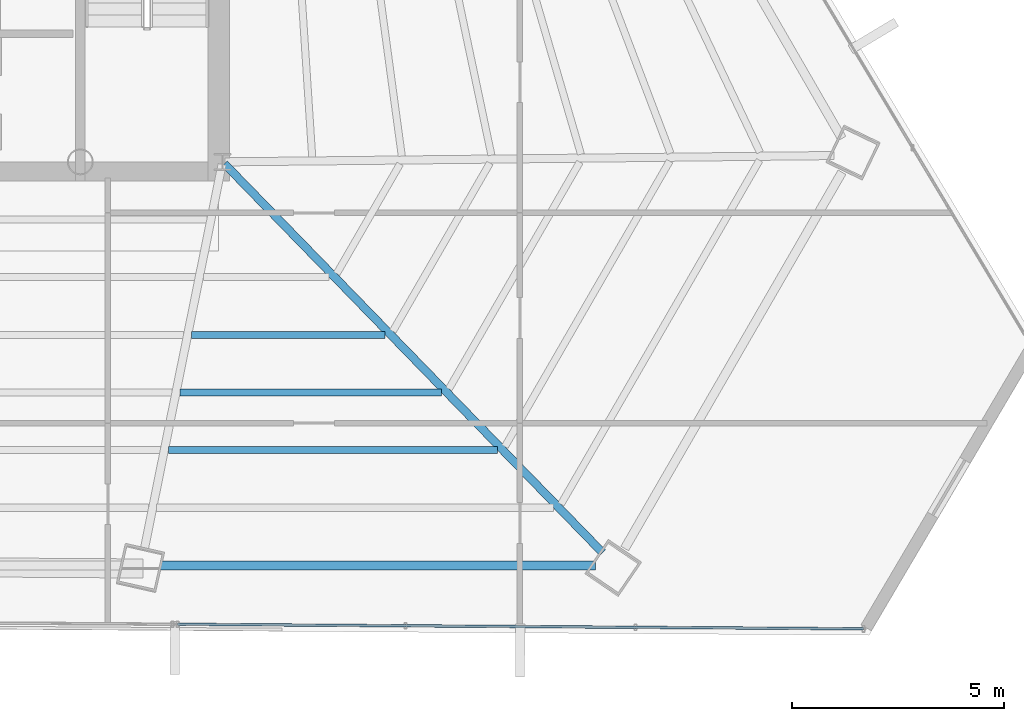
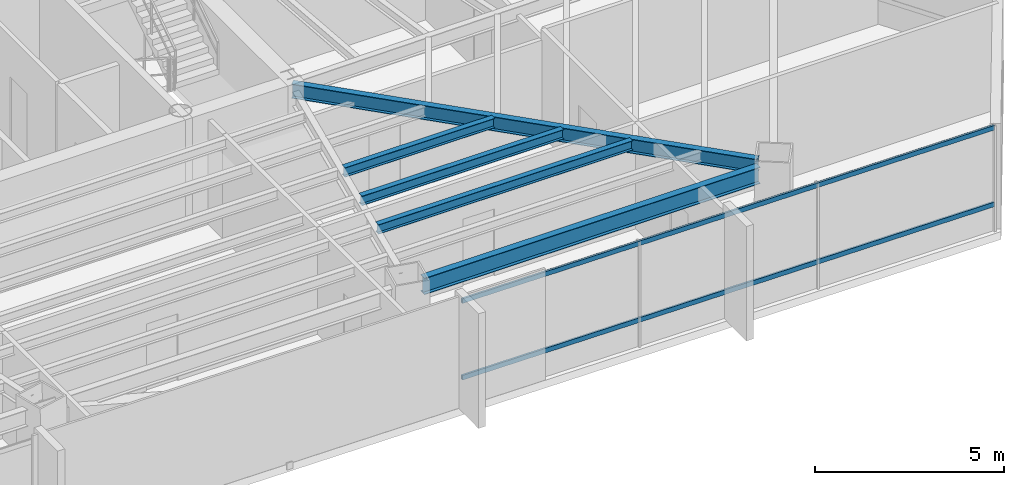
# One storey, part 18 of 41: 5 beams, 2 members, 1 element without a shape of its own.
"""IFC4 building model written with IfcOpenShell, lengths in metres."""

from ifc_helpers import new_model, si_unit, direction, frame, origin, origin_2d, place, context, subcontext, project, spatial, hollow_rectangle, i_section, extrude, source, transform, mapped, material, material_profile, profile_set, type_object, type_shapes, element, aggregate, save


model = new_model("IFC4")

# Units and contexts
model_context = context("Model", 3, precision=1e-05, world=origin(), true_north=direction((0.0, 1.0)))
body_context = subcontext(model_context, "Body", "Model", "MODEL_VIEW")
ifc_project = project(units=[si_unit("LENGTHUNIT", "METRE"), si_unit("AREAUNIT", "SQUARE_METRE"), si_unit("VOLUMEUNIT", "CUBIC_METRE"), si_unit("PLANEANGLEUNIT", "RADIAN"), si_unit("MASSUNIT", "GRAM", prefix="KILO")], contexts=[model_context])

# Site, building, storey
site_placement = place(None, origin())
site = spatial("IfcSite", under=ifc_project, at=site_placement, CompositionType="ELEMENT")
building_placement = place(site_placement, origin())
building = spatial("IfcBuilding", under=site, at=building_placement, Name="Caelisora Broadcast Tower", CompositionType="ELEMENT")
storey_placement = place(building_placement, frame((0.0, 0.0, 180.39990234375)))
storey = spatial("IfcBuildingStorey", under=building, at=storey_placement, Name="L47", CompositionType="ELEMENT", Elevation=180.39990234375)

# Beams
ifc_material_1 = material(Name="Steel Grade 350 (AS/NZS 3679.1)", Category="steel")
ifc_material_profile_1 = material_profile(ifc_material_1, i_section(OverallWidth=0.208984375, OverallDepth=0.532958984375, WebThickness=0.01025390625, FlangeThickness=0.015625, at=origin_2d()), Name="Steel Grade 350 (AS/NZS 3679.1)")
ifc_profile_set_1 = profile_set([ifc_material_profile_1], Name="Steel Grade 350 (AS/NZS 3679.1)")
beam_type_1 = type_object("IfcBeamType", Name="PG05", PredefinedType="BEAM", material=ifc_profile_set_1)
shared_shape_1 = source(origin(), body_context, "Body", "SweptSolid", [
    extrude(i_section(OverallWidth=0.208984375, OverallDepth=0.532958984375, WebThickness=0.01025390625, FlangeThickness=0.015625, at=origin_2d()), origin(), (0.0, 0.0, 1.0), 10.239501953125),
])
type_shapes(beam_type_1, [shared_shape_1])
beam_1_placement = place(storey_placement, frame((44.039794921875, 7.89892578125, 3.133544921875), z_axis=(1.0, 0.0, 0.0), x_axis=(0.0, 1.0, 0.0)))
element("IfcBeam", 1, at=beam_1_placement, inside=storey, type_object=beam_type_1, Name="L47 beam PG05", PredefinedType="BEAM", context=body_context, shape_type="MappedRepresentation", body=[
    mapped(shared_shape_1, transform((0.0, 0.0, 0.0), scale=1.0)),
])
ifc_material_profile_2 = material_profile(ifc_material_1, i_section(OverallWidth=0.19091796875, OverallDepth=0.46044921875, WebThickness=0.010009765625, FlangeThickness=0.01611328125, at=origin_2d()), Name="Steel Grade 350 (AS/NZS 3679.1)")
ifc_profile_set_2 = profile_set([ifc_material_profile_2], Name="Steel Grade 350 (AS/NZS 3679.1)")
beam_type_2 = type_object("IfcBeamType", Name="PG06", PredefinedType="BEAM", material=ifc_profile_set_2)
shared_shape_2 = source(origin(), body_context, "Body", "SweptSolid", [
    extrude(i_section(OverallWidth=0.19091796875, OverallDepth=0.46044921875, WebThickness=0.010009765625, FlangeThickness=0.01611328125, at=origin_2d()), origin(), (0.0, 0.0, 1.0), 12.77294921875),
])
type_shapes(beam_type_2, [shared_shape_2])
beam_2_placement = place(storey_placement, frame((45.541748046875, 17.35693359375, 3.169921875), z_axis=(0.697165459006, -0.716910261308, 0.0), x_axis=(0.716910261308, 0.697165459006, 0.0)))
element("IfcBeam", 2, at=beam_2_placement, inside=storey, type_object=beam_type_2, Name="L47 beam PG06", PredefinedType="BEAM", context=body_context, shape_type="MappedRepresentation", body=[
    mapped(shared_shape_2, transform((0.0, 0.0, 0.0), scale=1.0)),
])
ifc_material_profile_3 = material_profile(ifc_material_1, i_section(OverallWidth=0.166015625, OverallDepth=0.30712890625, WebThickness=0.006591796875, FlangeThickness=0.01171875, at=origin_2d()), Name="Steel Grade 350 (AS/NZS 3679.1)")
ifc_profile_set_3 = profile_set([ifc_material_profile_3], Name="Steel Grade 350 (AS/NZS 3679.1)")
beam_type_3 = type_object("IfcBeamType", Name="SB03", PredefinedType="JOIST", material=ifc_profile_set_3)
shared_shape_3 = source(origin(), body_context, "Body", "SweptSolid", [
    extrude(i_section(OverallWidth=0.166015625, OverallDepth=0.30712890625, WebThickness=0.006591796875, FlangeThickness=0.01171875, at=origin_2d()), origin(), (0.0, 0.0, 1.0), 4.55810546875),
])
beam_3_placement = place(storey_placement, frame((44.771484375, 13.328125, 3.24658203125), z_axis=(1.0, 0.0, 0.0), x_axis=(0.0, 1.0, 0.0)))
element("IfcBeam", 3, at=beam_3_placement, inside=storey, type_object=beam_type_3, Name="L47 beam SB03", PredefinedType="JOIST", context=body_context, shape_type="MappedRepresentation", body=[
    mapped(shared_shape_3, transform((0.0, 0.0, 0.0), scale=1.0)),
])
shared_shape_4 = source(origin(), body_context, "Body", "SweptSolid", [
    extrude(i_section(OverallWidth=0.166015625, OverallDepth=0.30712890625, WebThickness=0.006591796875, FlangeThickness=0.01171875, at=origin_2d()), origin(), (0.0, 0.0, 1.0), 6.15234375),
])
beam_4_placement = place(storey_placement, frame((44.4970703125, 11.970703125, 3.24658203125), z_axis=(1.0, 0.0, 0.0), x_axis=(0.0, 1.0, 0.0)))
element("IfcBeam", 4, at=beam_4_placement, inside=storey, type_object=beam_type_3, Name="L47 beam SB03", PredefinedType="JOIST", context=body_context, shape_type="MappedRepresentation", body=[
    mapped(shared_shape_4, transform((0.0, 0.0, 0.0), scale=1.0)),
])
shared_shape_5 = source(origin(), body_context, "Body", "SweptSolid", [
    extrude(i_section(OverallWidth=0.166015625, OverallDepth=0.30712890625, WebThickness=0.006591796875, FlangeThickness=0.01171875, at=origin_2d()), origin(), (0.0, 0.0, 1.0), 7.74658203125),
])
type_shapes(beam_type_3, [shared_shape_3, shared_shape_4, shared_shape_5])
beam_5_placement = place(storey_placement, frame((44.222900390625, 10.613525390625, 3.24658203125), z_axis=(1.0, 0.0, 0.0), x_axis=(0.0, 1.0, 0.0)))
element("IfcBeam", 5, at=beam_5_placement, inside=storey, type_object=beam_type_3, Name="L47 beam SB03", PredefinedType="JOIST", context=body_context, shape_type="MappedRepresentation", body=[
    mapped(shared_shape_5, transform((0.0, 0.0, 0.0), scale=1.0)),
])

# Curtain wall, members
ifc_material_2 = material(Name="Unitised Aluminium and Low-E Glass Curtain Wall", Category="glass")
curtain_wall_type = type_object("IfcCurtainWallType", Name="CW-Z3", PredefinedType="NOTDEFINED", material=ifc_material_2)
curtain_wall_placement = place(storey_placement, origin())
curtain_wall = element("IfcCurtainWall", 6, at=curtain_wall_placement, inside=storey, type_object=curtain_wall_type, Name="L47 curtain wall CW-Z3", PredefinedType="NOTDEFINED")
ifc_material_3 = material(Name="Aluminium 6063-T6 Anodised Terracotta Bronze", Category="aluminium")
ifc_material_profile_4 = material_profile(ifc_material_3, hollow_rectangle(XDim=0.06005859375, YDim=0.14990234375, WallThickness=0.00341796875, at=origin_2d()), Name="Aluminium 6063-T6 Anodised Terracotta Bronze")
ifc_profile_set_4 = profile_set([ifc_material_profile_4], Name="Aluminium 6063-T6 Anodised Terracotta Bronze")
member_type = type_object("IfcMemberType", Name="CWT-02", PredefinedType="USERDEFINED", material=ifc_profile_set_4)
shared_shape_6 = source(origin(), body_context, "Body", "SweptSolid", [
    extrude(hollow_rectangle(XDim=0.06005859375, YDim=0.14990234375, WallThickness=0.00341796875, at=origin_2d()), origin(), (0.0, 0.0, 1.0), 16.154541015625),
])
type_shapes(member_type, [shared_shape_6])
member_1_placement = place(storey_placement, frame((60.589111328125, 6.4052734375, 0.85009765625), z_axis=(-0.999977891212, 0.006649593038, 0.0), x_axis=(-0.006649593038, -0.999977891212, 0.0)))
member_1 = element("IfcMember", 7, at=member_1_placement, type_object=member_type, Name="L47-CW-B05 transom #1", ObjectType="TRANSOM", PredefinedType="USERDEFINED", context=body_context, shape_type="MappedRepresentation", body=[
    mapped(shared_shape_6, transform((0.0, 0.0, 0.0), scale=1.0)),
])
member_2_placement = place(storey_placement, frame((60.589111328125, 6.4052734375, 3.320068359375), z_axis=(-0.999977891212, 0.006649593038, 0.0), x_axis=(-0.006649593038, -0.999977891212, 0.0)))
member_2 = element("IfcMember", 8, at=member_2_placement, type_object=member_type, Name="L47-CW-B05 transom #2", ObjectType="TRANSOM", PredefinedType="USERDEFINED", context=body_context, shape_type="MappedRepresentation", body=[
    mapped(shared_shape_6, transform((0.0, 0.0, 0.0), scale=1.0)),
])
aggregate(curtain_wall, [member_1, member_2])

save(model, "model.ifc")
